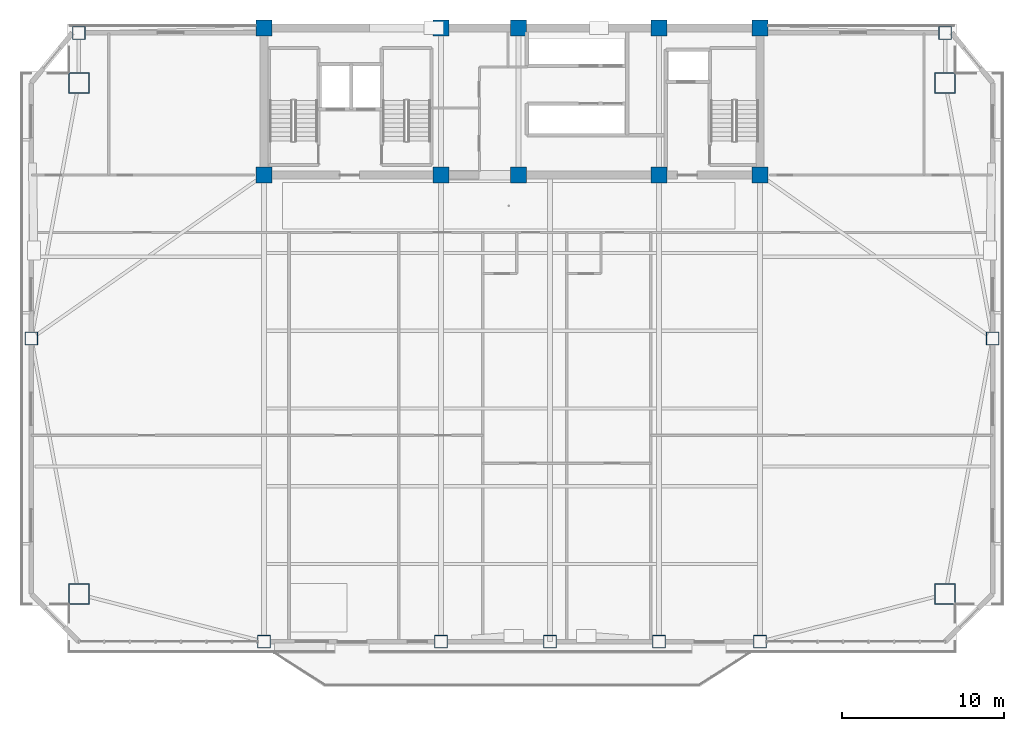
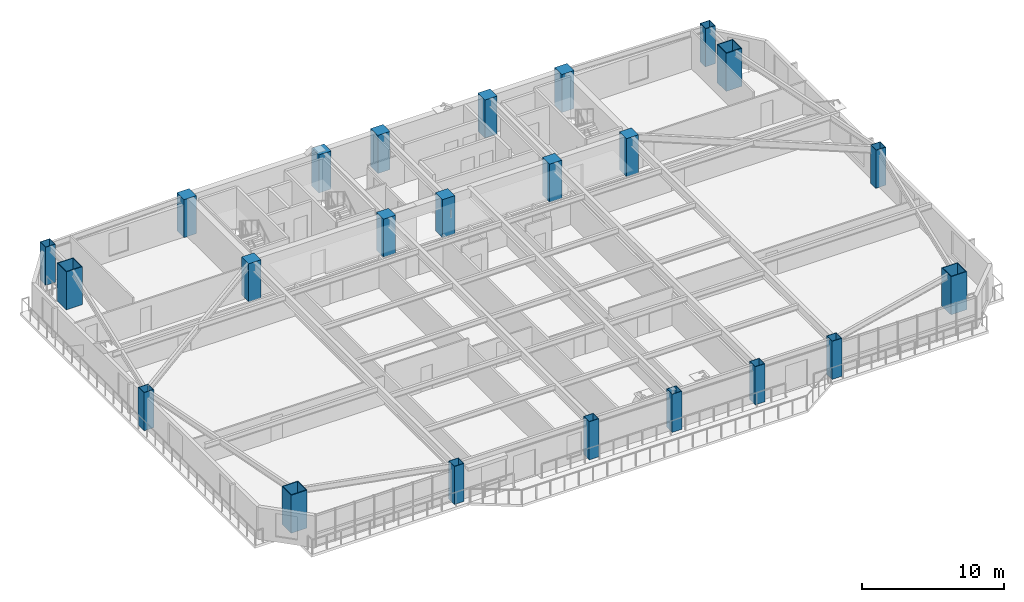
# One storey, part 1 of 15: 23 columns.
"""IFC4 building model written with IfcOpenShell, lengths in metres."""

from ifc_helpers import new_model, si_unit, direction, frame, origin, origin_2d, place, context, subcontext, project, spatial, rectangle, hollow_rectangle, extrude, source, transform, mapped, material, material_profile, profile_set, type_object, element, save


model = new_model("IFC4")

# Units and contexts
model_context = context("Model", 3, precision=1e-05, world=origin(), true_north=direction((0.0, 1.0)))
body_context = subcontext(model_context, "Body", "Model", "MODEL_VIEW")
ifc_project = project(units=[si_unit("LENGTHUNIT", "METRE"), si_unit("AREAUNIT", "SQUARE_METRE"), si_unit("VOLUMEUNIT", "CUBIC_METRE"), si_unit("PLANEANGLEUNIT", "RADIAN"), si_unit("MASSUNIT", "GRAM", prefix="KILO")], contexts=[model_context])

# Site, building, storey
site_placement = place(None, origin())
site = spatial("IfcSite", under=ifc_project, at=site_placement, CompositionType="ELEMENT")
building_placement = place(site_placement, origin())
building = spatial("IfcBuilding", under=site, at=building_placement, Name="Giltprow Tower", CompositionType="ELEMENT")
storey_placement = place(building_placement, frame((0.0, 0.0, 152.699951171875)))
storey = spatial("IfcBuildingStorey", under=building, at=storey_placement, Name="L37", CompositionType="ELEMENT", Elevation=152.699951171875)

# Columns
ifc_material_1 = material(Name="Structural steel Q420GJC", Category="steel")
ifc_material_profile_1 = material_profile(ifc_material_1, hollow_rectangle(XDim=1.300048828125, YDim=1.300048828125, WallThickness=0.06005859375, at=origin_2d()), Name="BOX 1300x1300x60")
ifc_profile_set_1 = profile_set([ifc_material_profile_1], Name="Structural steel Q420GJC")
column_type_1 = type_object("IfcColumnType", Name="COL-BOX-1300x1300x60", PredefinedType="COLUMN", material=ifc_profile_set_1)
shared_shape_1 = source(origin(), body_context, "Body", "SweptSolid", [
    extrude(hollow_rectangle(XDim=1.300048828125, YDim=1.300048828125, WallThickness=0.06005859375, at=origin_2d()), origin(), (0.0, 0.0, 1.0), 3.27001953125),
])
for number, where, z_axis, x_axis, name in (
    (1, (8.387939453125, 11.510986328125, 0.0), (0.0, 0.0, 1.0), (1.0, 0.0, 0.0), "L37 Mega-Column MC_SW"),
    (2, (62.011962890625, 11.510986328125, 0.0), (0.0, 0.0, 1.0), (1.0, 0.0, 0.0), "L37 Mega-Column MC_SE"),
    (3, (8.387939453125, 43.160888671875, 0.0), (0.0, 0.0, 1.0), (1.0, 0.0, 0.0), "L37 Mega-Column MC_NW"),
    (4, (62.011962890625, 43.160888671875, 0.0), (0.0, 0.0, 1.0), (1.0, 0.0, 0.0), "L37 Mega-Column MC_NE"),
):
    element("IfcColumn", number, at=place(storey_placement, frame(where, z_axis=z_axis, x_axis=x_axis)), inside=storey, type_object=column_type_1, Name=name, PredefinedType="COLUMN", context=body_context, shape_type="MappedRepresentation", body=[
        mapped(shared_shape_1, transform((0.0, 0.0, 0.0), x_axis=(1.0, 0.0, 0.0), y_axis=(0.0, 1.0, 0.0), z_axis=(0.0, 0.0, 1.0), scale=1.0)),
    ])
ifc_material_profile_2 = material_profile(ifc_material_1, hollow_rectangle(XDim=0.800048828125, YDim=0.800048828125, WallThickness=0.035888671875, at=origin_2d()), Name="BOX 800x800x36")
ifc_profile_set_2 = profile_set([ifc_material_profile_2], Name="Structural steel Q420GJC")
column_type_2 = type_object("IfcColumnType", Name="COL-BOX-800x800x36", PredefinedType="COLUMN", material=ifc_profile_set_2)
shared_shape_2 = source(origin(), body_context, "Body", "SweptSolid", [
    extrude(hollow_rectangle(XDim=0.800048828125, YDim=0.800048828125, WallThickness=0.035888671875, at=origin_2d()), origin(), (0.0, 0.0, 1.0), 3.27001953125),
])
for number, where, z_axis, x_axis, name in (
    (5, (19.85009765625, 8.572021484375, 0.0), (0.0, 0.0, 1.0), (1.0, 0.0, 0.0), "L37 Perimeter Column S1"),
    (6, (30.800048828125, 8.572021484375, 0.0), (0.0, 0.0, 1.0), (1.0, 0.0, 0.0), "L37 Perimeter Column S2"),
    (7, (37.550048828125, 8.572021484375, 0.0), (0.0, 0.0, 1.0), (1.0, 0.0, 0.0), "L37 Perimeter Column S_MID"),
    (8, (44.300048828125, 8.572021484375, 0.0), (0.0, 0.0, 1.0), (1.0, 0.0, 0.0), "L37 Perimeter Column S3"),
    (9, (50.550048828125, 8.572021484375, 0.0), (0.0, 0.0, 1.0), (1.0, 0.0, 0.0), "L37 Perimeter Column S4"),
    (10, (5.448974609375, 27.3359375, 0.0), (0.0, 0.0, 1.0), (1.0, 0.0, 0.0), "L37 Perimeter Column W_MID"),
    (11, (64.950927734375, 27.3359375, 0.0), (0.0, 0.0, 1.0), (1.0, 0.0, 0.0), "L37 Perimeter Column E_MID"),
    (12, (8.387939453125, 46.25, 0.0), (0.0, 0.0, 1.0), (1.0, 0.0, 0.0), "L37 Perimeter Column N_W"),
    (13, (62.011962890625, 46.25, 0.0), (0.0, 0.0, 1.0), (1.0, 0.0, 0.0), "L37 Perimeter Column N_E"),
):
    element("IfcColumn", number, at=place(storey_placement, frame(where, z_axis=z_axis, x_axis=x_axis)), inside=storey, type_object=column_type_2, Name=name, PredefinedType="COLUMN", context=body_context, shape_type="MappedRepresentation", body=[
        mapped(shared_shape_2, transform((0.0, 0.0, 0.0), x_axis=(1.0, 0.0, 0.0), y_axis=(0.0, 1.0, 0.0), z_axis=(0.0, 0.0, 1.0), scale=1.0)),
    ])
ifc_material_2 = material(Name="Concrete C50", Category="concrete")
ifc_material_profile_3 = material_profile(ifc_material_2, rectangle(XDim=1.0, YDim=1.0, at=origin_2d()), Name="RC 1000x1000")
ifc_profile_set_3 = profile_set([ifc_material_profile_3], Name="Concrete C50")
column_type_3 = type_object("IfcColumnType", Name="PIL-RC-1000-C50", PredefinedType="PILASTER", material=ifc_profile_set_3)
shared_shape_3 = source(origin(), body_context, "Body", "SweptSolid", [
    extrude(rectangle(XDim=1.0, YDim=1.0, at=origin_2d()), origin(), (0.0, 0.0, 1.0), 3.27001953125),
])
for number, where, z_axis, x_axis, name in (
    (14, (19.85009765625, 37.449951171875, 0.0), (0.0, 0.0, 1.0), (1.0, 0.0, 0.0), "L37 Core Boundary Pilaster 1-1"),
    (15, (19.85009765625, 46.550048828125, 0.0), (0.0, 0.0, 1.0), (1.0, 0.0, 0.0), "L37 Core Boundary Pilaster 1-2"),
    (16, (30.800048828125, 37.449951171875, 0.0), (0.0, 0.0, 1.0), (1.0, 0.0, 0.0), "L37 Core Boundary Pilaster 2-1"),
    (17, (30.800048828125, 46.550048828125, 0.0), (0.0, 0.0, 1.0), (1.0, 0.0, 0.0), "L37 Core Boundary Pilaster 2-2"),
    (18, (35.60009765625, 37.449951171875, 0.0), (0.0, 0.0, 1.0), (1.0, 0.0, 0.0), "L37 Core Boundary Pilaster 3-1"),
    (19, (35.60009765625, 46.550048828125, 0.0), (0.0, 0.0, 1.0), (1.0, 0.0, 0.0), "L37 Core Boundary Pilaster 3-2"),
    (20, (44.300048828125, 37.449951171875, 0.0), (0.0, 0.0, 1.0), (1.0, 0.0, 0.0), "L37 Core Boundary Pilaster 4-1"),
    (21, (44.300048828125, 46.550048828125, 0.0), (0.0, 0.0, 1.0), (1.0, 0.0, 0.0), "L37 Core Boundary Pilaster 4-2"),
    (22, (50.550048828125, 37.449951171875, 0.0), (0.0, 0.0, 1.0), (1.0, 0.0, 0.0), "L37 Core Boundary Pilaster 5-1"),
    (23, (50.550048828125, 46.550048828125, 0.0), (0.0, 0.0, 1.0), (1.0, 0.0, 0.0), "L37 Core Boundary Pilaster 5-2"),
):
    element("IfcColumn", number, at=place(storey_placement, frame(where, z_axis=z_axis, x_axis=x_axis)), inside=storey, type_object=column_type_3, Name=name, PredefinedType="PILASTER", context=body_context, shape_type="MappedRepresentation", body=[
        mapped(shared_shape_3, transform((0.0, 0.0, 0.0), x_axis=(1.0, 0.0, 0.0), y_axis=(0.0, 1.0, 0.0), z_axis=(0.0, 0.0, 1.0), scale=1.0)),
    ])

save(model, "model.ifc")
